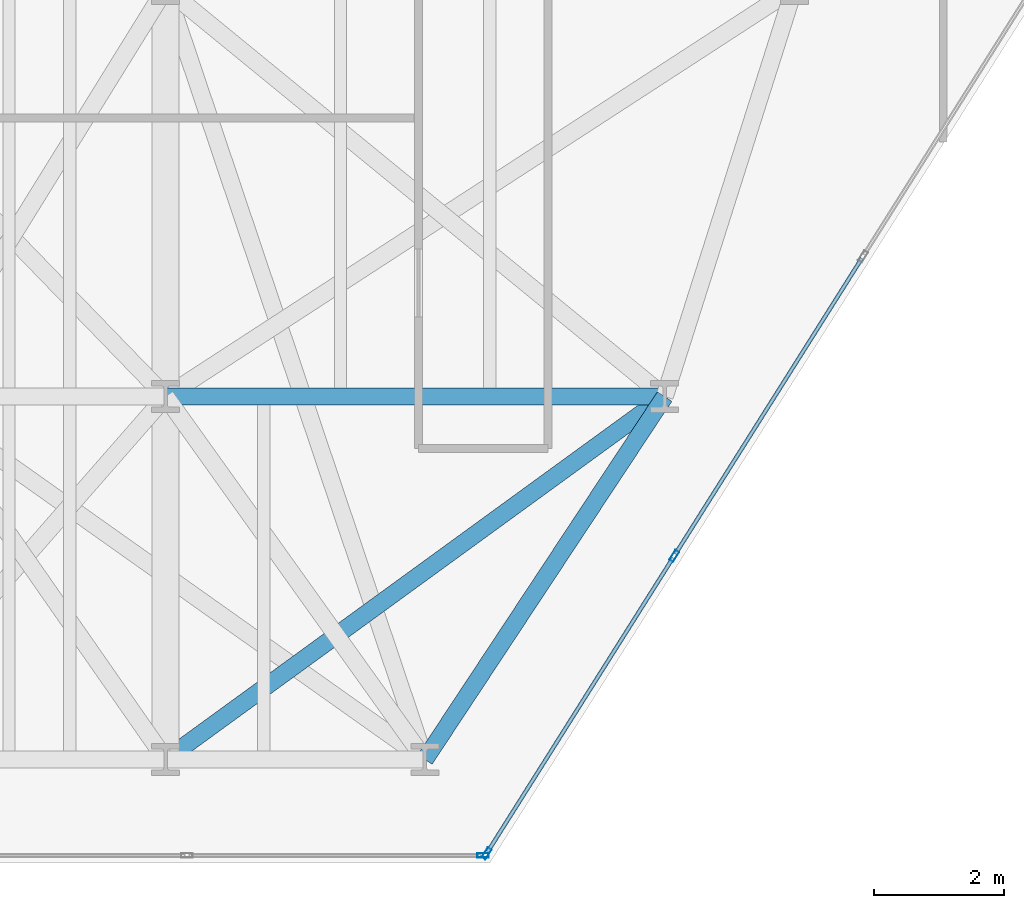
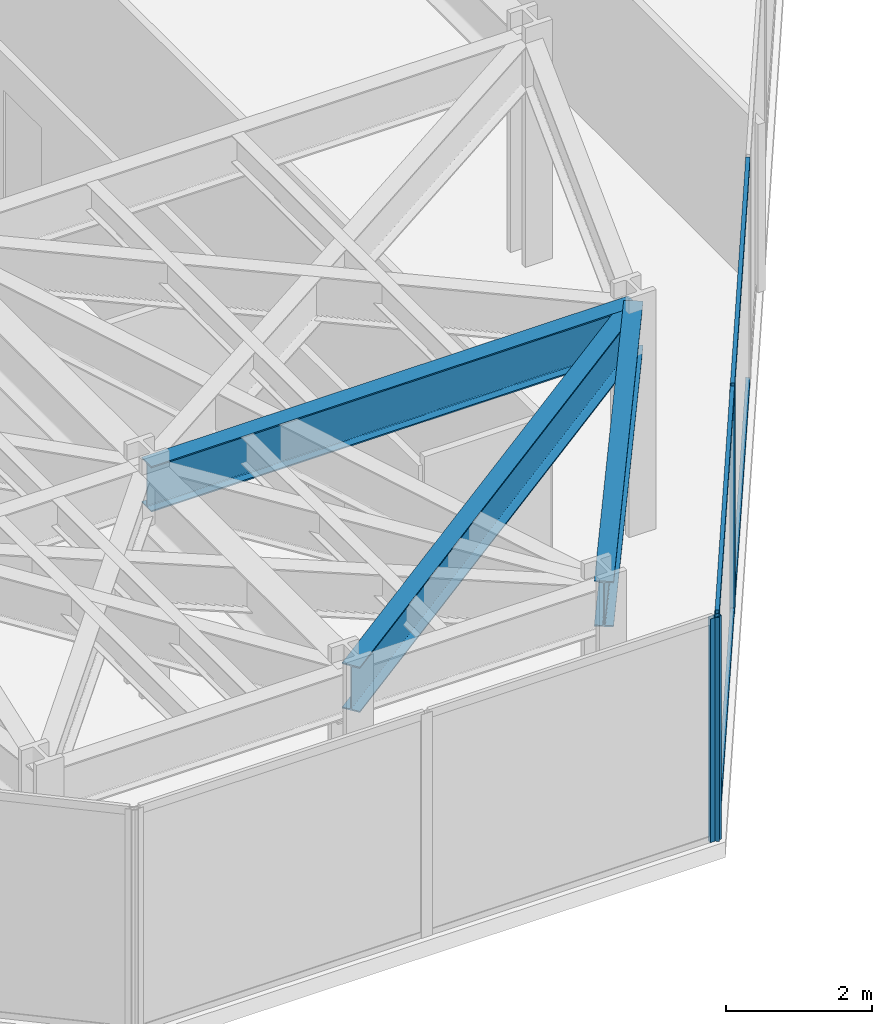
# One storey, part 5 of 24: 7 members, 3 beams, 2 elements without a shape of their own.
"""IFC4 building model written with IfcOpenShell, lengths in metres."""

from ifc_helpers import new_model, si_unit, direction, frame, origin, origin_2d, place, context, subcontext, project, spatial, hollow_rectangle, i_section, extrude, material, layer, layer_set, material_profile, profile_set, type_object, element, aggregate, save


model = new_model("IFC4")

# Units and contexts
model_context = context("Model", 3, precision=1e-05, world=origin(), true_north=direction((0.0, 1.0)))
body_context = subcontext(model_context, "Body", "Model", "MODEL_VIEW")
ifc_project = project(units=[si_unit("LENGTHUNIT", "METRE"), si_unit("AREAUNIT", "SQUARE_METRE"), si_unit("VOLUMEUNIT", "CUBIC_METRE"), si_unit("PLANEANGLEUNIT", "RADIAN"), si_unit("MASSUNIT", "GRAM", prefix="KILO")], contexts=[model_context])

# Site, building, storey
site_placement = place(None, origin())
site = spatial("IfcSite", under=ifc_project, at=site_placement, CompositionType="ELEMENT")
building_placement = place(site_placement, origin())
building = spatial("IfcBuilding", under=site, at=building_placement, Name="Kravanh Interchange Tower", CompositionType="ELEMENT")
storey_placement = place(building_placement, frame((0.0, 0.0, 69.5)))
storey = spatial("IfcBuildingStorey", under=building, at=storey_placement, Name="L16", CompositionType="ELEMENT", Elevation=69.5)

# Curtain wall, members
ifc_material_1 = material(Name="Anodised Bronze Aluminium", Category="aluminium")
ifc_layer = layer(ifc_material_1, 0.179931640625)
ifc_layer_set = layer_set([ifc_layer], Name="Unitised Curtain Wall System CW-Z1 Lower Office")
curtain_wall_type = type_object("IfcCurtainWallType", Name="Unitised Curtain Wall System CW-Z1 Lower Office", PredefinedType="NOTDEFINED", material=ifc_layer_set)
curtain_wall_1_placement = place(storey_placement, origin())
curtain_wall_1 = element("IfcCurtainWall", 1, at=curtain_wall_1_placement, inside=storey, type_object=curtain_wall_type, Name="L16 Unitised Curtain Wall CW-L16-05", PredefinedType="NOTDEFINED")
ifc_material_2 = material(Name="Anodised Bronze Aluminium", Category="aluminium")
ifc_material_profile_1 = material_profile(ifc_material_2, hollow_rectangle(XDim=0.070068359375, YDim=0.179931640625, WallThickness=0.00390625, at=origin_2d()), Name="ALU70X180X4")
ifc_profile_set_1 = profile_set([ifc_material_profile_1], Name="Anodised Bronze Aluminium")
member_type_1 = type_object("IfcMemberType", Name="Curtain Wall Mullion ALU70X180X4 Bronze", PredefinedType="MULLION", material=ifc_profile_set_1)
member_1_placement = place(storey_placement, frame((25.346923828125, 5.740966796875, 0.0), z_axis=(0.0, 0.0, 1.0), x_axis=(0.845925530786, -0.53330103728, 0.0)))
member_1 = element("IfcMember", 2, at=member_1_placement, type_object=member_type_1, Name="CW-Z1 mullion 5", PredefinedType="MULLION", context=body_context, shape_type="SweptSolid", body=[
    extrude(hollow_rectangle(XDim=0.070068359375, YDim=0.179931640625, WallThickness=0.00390625, at=origin_2d()), origin(), (0.0, 0.0, 1.0), 3.739990234375),
])
member_2_placement = place(storey_placement, frame((22.452392578125, 1.149658203125, 0.0), z_axis=(0.0, 0.0, 1.0), x_axis=(0.845925530786, -0.53330103728, 0.0)))
member_2 = element("IfcMember", 3, at=member_2_placement, type_object=member_type_1, Name="CW-Z1 mullion 6", PredefinedType="MULLION", context=body_context, shape_type="SweptSolid", body=[
    extrude(hollow_rectangle(XDim=0.070068359375, YDim=0.179931640625, WallThickness=0.00390625, at=origin_2d()), origin(), (0.0, 0.0, 1.0), 3.739990234375),
])

# Curtain wall, member
curtain_wall_2_placement = place(storey_placement, origin())
curtain_wall_2 = element("IfcCurtainWall", 4, at=curtain_wall_2_placement, inside=storey, type_object=curtain_wall_type, Name="L16 Unitised Curtain Wall CW-L16-06", PredefinedType="NOTDEFINED")
member_3_placement = place(storey_placement, frame((22.398681640625, 1.1201171875, 0.0), z_axis=(0.0, 0.0, 1.0), x_axis=(0.0, -1.0, 0.0)))
member_3 = element("IfcMember", 5, at=member_3_placement, type_object=member_type_1, Name="CW-Z1 mullion 1", PredefinedType="MULLION", context=body_context, shape_type="SweptSolid", body=[
    extrude(hollow_rectangle(XDim=0.070068359375, YDim=0.179931640625, WallThickness=0.00390625, at=origin_2d()), origin(), (0.0, 0.0, 1.0), 3.739990234375),
])
aggregate(curtain_wall_2, [member_3])

# Member
ifc_material_3 = material(Name="Anodised Bronze Aluminium", Category="aluminium")
ifc_material_profile_2 = material_profile(ifc_material_3, hollow_rectangle(XDim=0.06005859375, YDim=0.139892578125, WallThickness=0.00390625, at=origin_2d()), Name="ALU60X140X4")
ifc_profile_set_2 = profile_set([ifc_material_profile_2], Name="Anodised Bronze Aluminium")
member_type_2 = type_object("IfcMemberType", Name="Curtain Wall Transom ALU60X140X4 Bronze", PredefinedType="USERDEFINED", material=ifc_profile_set_2)
member_4_placement = place(storey_placement, frame((28.24169921875, 10.332275390625, 0.030029296875), z_axis=(-0.533311487456, -0.84591894254, 0.0), x_axis=(0.84591894254, -0.533311487456, 0.0)))
member_4 = element("IfcMember", 6, at=member_4_placement, type_object=member_type_2, Name="CW-Z1 transom 4.1", ObjectType="TRANSOM", PredefinedType="USERDEFINED", context=body_context, shape_type="SweptSolid", body=[
    extrude(hollow_rectangle(XDim=0.06005859375, YDim=0.139892578125, WallThickness=0.00390625, at=origin_2d()), origin(), (0.0, 0.0, 1.0), 5.392578125),
])

member_5_placement = place(storey_placement, frame((28.24169921875, 10.332275390625, 3.7099609375), z_axis=(-0.533311487456, -0.84591894254, 0.0), x_axis=(0.84591894254, -0.533311487456, 0.0)))
member_5 = element("IfcMember", 7, at=member_5_placement, type_object=member_type_2, Name="CW-Z1 transom 4.2", ObjectType="TRANSOM", PredefinedType="USERDEFINED", context=body_context, shape_type="SweptSolid", body=[
    extrude(hollow_rectangle(XDim=0.06005859375, YDim=0.139892578125, WallThickness=0.00390625, at=origin_2d()), origin(), (0.0, 0.0, 1.0), 5.392578125),
])

member_6_placement = place(storey_placement, frame((25.328369140625, 5.71142578125, 0.030029296875), z_axis=(-0.533288163518, -0.845933646719, 0.0), x_axis=(0.845933646719, -0.533288163518, 0.0)))
member_6 = element("IfcMember", 8, at=member_6_placement, type_object=member_type_2, Name="CW-Z1 transom 5.1", ObjectType="TRANSOM", PredefinedType="USERDEFINED", context=body_context, shape_type="SweptSolid", body=[
    extrude(hollow_rectangle(XDim=0.06005859375, YDim=0.139892578125, WallThickness=0.00390625, at=origin_2d()), origin(), (0.0, 0.0, 1.0), 5.357666015625),
])

member_7_placement = place(storey_placement, frame((25.328369140625, 5.71142578125, 3.7099609375), z_axis=(-0.533288163518, -0.845933646719, 0.0), x_axis=(0.845933646719, -0.533288163518, 0.0)))
member_7 = element("IfcMember", 9, at=member_7_placement, type_object=member_type_2, Name="CW-Z1 transom 5.2", ObjectType="TRANSOM", PredefinedType="USERDEFINED", context=body_context, shape_type="SweptSolid", body=[
    extrude(hollow_rectangle(XDim=0.06005859375, YDim=0.139892578125, WallThickness=0.00390625, at=origin_2d()), origin(), (0.0, 0.0, 1.0), 5.357666015625),
])

aggregate(curtain_wall_1, [member_1, member_2, member_4, member_5, member_6, member_7])

# Beams
ifc_material_4 = material(Name="Structural Steel S355", Category="steel")
ifc_material_profile_3 = material_profile(ifc_material_4, i_section(OverallWidth=0.26708984375, OverallDepth=0.761962890625, WebThickness=0.014404296875, FlangeThickness=0.021484375, FilletRadius=0.02490234375, at=origin_2d()), Name="W30X116")
ifc_profile_set_3 = profile_set([ifc_material_profile_3], Name="Structural Steel S355")
beam_type = type_object("IfcBeamType", Name="Floor Spandrel W30X116 Structural Steel S355", PredefinedType="SPANDREL", material=ifc_profile_set_3)
beam_1_placement = place(storey_placement, frame((17.5, 2.60009765625, 3.35888671875), z_axis=(0.808741628611, 0.588164074176, 0.0), x_axis=(-0.588164074176, 0.808741628611, 0.0)))
element("IfcBeam", 10, at=beam_1_placement, inside=storey, type_object=beam_type, Name="L16 Perimeter Spandrel 105", PredefinedType="SPANDREL", context=body_context, shape_type="SweptSolid", body=[
    extrude(i_section(OverallWidth=0.26708984375, OverallDepth=0.761962890625, WebThickness=0.014404296875, FlangeThickness=0.021484375, FilletRadius=0.02490234375, at=origin_2d()), origin(), (0.0, 0.0, 1.0), 9.52099609375),
])
beam_2_placement = place(storey_placement, frame((21.5, 2.60009765625, 3.35888671875), z_axis=(0.551262239226, 0.834332034386, 0.0), x_axis=(-0.834332034386, 0.551262239226, 0.0)))
element("IfcBeam", 11, at=beam_2_placement, inside=storey, type_object=beam_type, Name="L16 Perimeter Spandrel 121", PredefinedType="SPANDREL", context=body_context, shape_type="SweptSolid", body=[
    extrude(i_section(OverallWidth=0.26708984375, OverallDepth=0.761962890625, WebThickness=0.014404296875, FlangeThickness=0.021484375, FilletRadius=0.02490234375, at=origin_2d()), origin(), (0.0, 0.0, 1.0), 6.711669921875),
])
beam_3_placement = place(storey_placement, frame((17.5, 8.199951171875, 3.35888671875), z_axis=(1.0, 0.0, 0.0), x_axis=(0.0, 1.0, 0.0)))
element("IfcBeam", 12, at=beam_3_placement, inside=storey, type_object=beam_type, Name="L16 Perimeter Spandrel 137", PredefinedType="SPANDREL", context=body_context, shape_type="SweptSolid", body=[
    extrude(i_section(OverallWidth=0.26708984375, OverallDepth=0.761962890625, WebThickness=0.014404296875, FlangeThickness=0.021484375, FilletRadius=0.02490234375, at=origin_2d()), origin(), (0.0, 0.0, 1.0), 7.699951171875),
])

save(model, "model.ifc")
